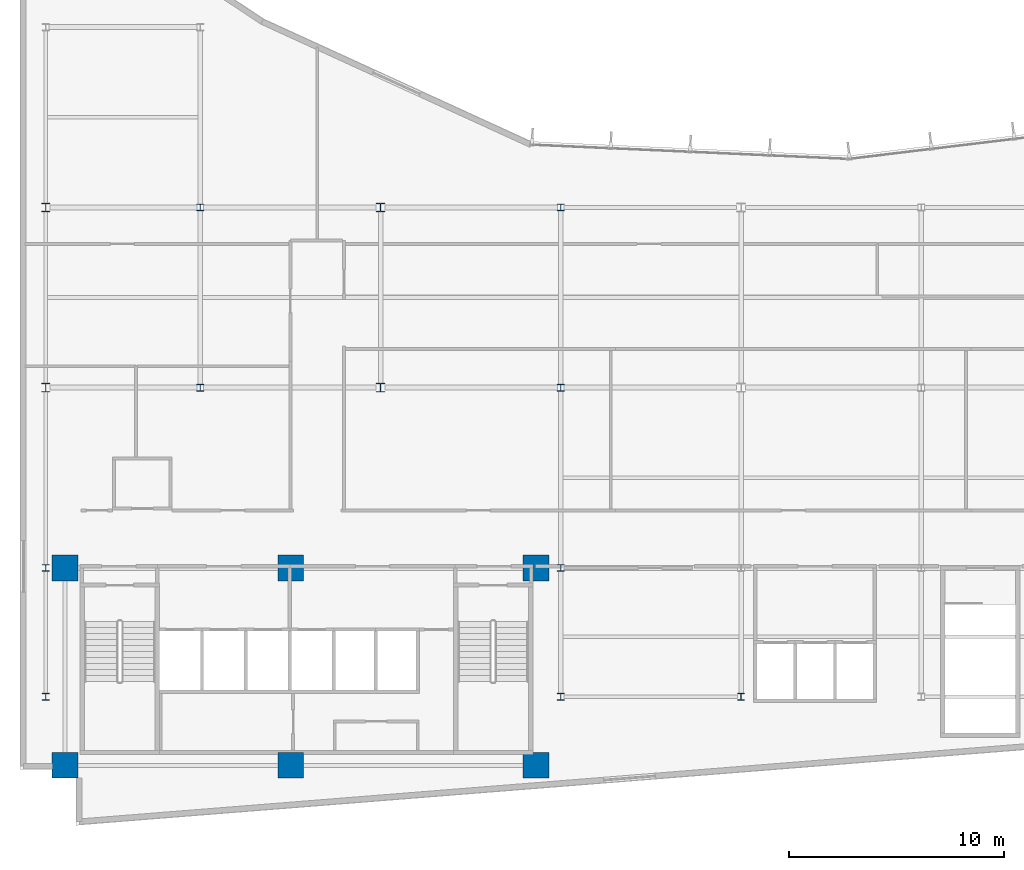
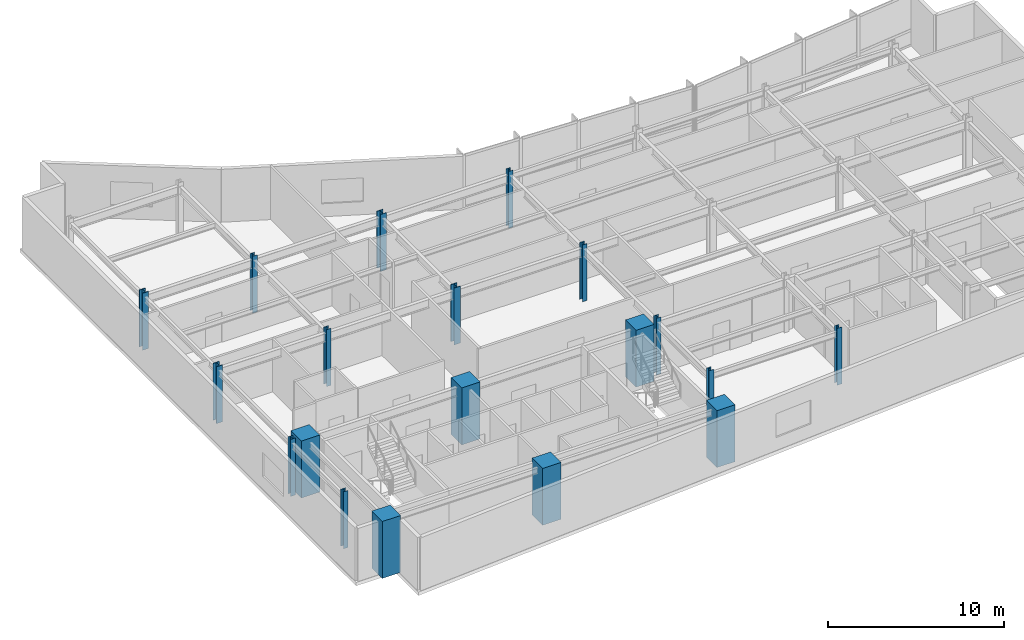
# One storey, part 1 of 16: 19 columns.
"""IFC4 building model written with IfcOpenShell, lengths in metres."""

from ifc_helpers import new_model, si_unit, direction, frame, origin, origin_2d, place, context, subcontext, project, spatial, rectangle, i_section, extrude, material, material_profile, profile_set, type_object, element, save


model = new_model("IFC4")

# Units and contexts
model_context = context("Model", 3, precision=1e-05, world=origin(), true_north=direction((0.0, 1.0)))
body_context = subcontext(model_context, "Body", "Model", "MODEL_VIEW")
ifc_project = project(units=[si_unit("LENGTHUNIT", "METRE"), si_unit("AREAUNIT", "SQUARE_METRE"), si_unit("VOLUMEUNIT", "CUBIC_METRE"), si_unit("PLANEANGLEUNIT", "RADIAN"), si_unit("MASSUNIT", "GRAM", prefix="KILO")], contexts=[model_context])

# Site, building, storey
site_placement = place(None, origin())
site = spatial("IfcSite", under=ifc_project, at=site_placement, CompositionType="ELEMENT")
building_placement = place(site_placement, origin())
building = spatial("IfcBuilding", under=site, at=building_placement, Name="Varnakote Quay Hospital", CompositionType="ELEMENT")
storey_placement = place(building_placement, frame((0.0, 0.0, 170.5)))
storey = spatial("IfcBuildingStorey", under=building, at=storey_placement, Name="L42", CompositionType="ELEMENT", Elevation=170.5)

# Columns
ifc_material_1 = material(Name="Concrete N80 (f'c 80 MPa)", Category="concrete")
ifc_material_profile_1 = material_profile(ifc_material_1, rectangle(XDim=1.199951171875, YDim=1.199951171875, at=origin_2d()), Name="RC-COL-1200x1200")
ifc_profile_set_1 = profile_set([ifc_material_profile_1], Name="Concrete N80 (f'c 80 MPa)")
column_type_1 = type_object("IfcColumnType", Name="COL-RC-1200", PredefinedType="COLUMN", material=ifc_profile_set_1)
for number, where, z_axis, x_axis, name in (
    (1, (2.10009765625, 2.800048828125, 0.0), (0.0, 0.0, 1.0), (1.0, 0.0, 0.0), "L42 Structural Column C-2-3"),
    (2, (12.6201171875, 2.800048828125, 0.0), (0.0, 0.0, 1.0), (1.0, 0.0, 0.0), "L42 Structural Column C-13-3"),
    (3, (24.050048828125, 2.800048828125, 0.0), (0.0, 0.0, 1.0), (1.0, 0.0, 0.0), "L42 Structural Column C-24-3"),
    (4, (2.10009765625, 12.0, 0.0), (0.0, 0.0, 1.0), (1.0, 0.0, 0.0), "L42 Structural Column C-2-12"),
    (5, (12.6201171875, 12.0, 0.0), (0.0, 0.0, 1.0), (1.0, 0.0, 0.0), "L42 Structural Column C-13-12"),
    (6, (24.050048828125, 12.0, 0.0), (0.0, 0.0, 1.0), (1.0, 0.0, 0.0), "L42 Structural Column C-24-12"),
):
    element("IfcColumn", number, at=place(storey_placement, frame(where, z_axis=z_axis, x_axis=x_axis)), inside=storey, type_object=column_type_1, Name=name, PredefinedType="COLUMN", context=body_context, shape_type="SweptSolid", body=[
        extrude(rectangle(XDim=1.199951171875, YDim=1.199951171875, at=origin_2d()), origin(), (0.0, 0.0, 1.0), 3.949951171875),
    ])
ifc_material_2 = material(Name="Structural steel AS/NZS 3679.1 Grade 350 L0 (fy 340 MPa)", Category="steel")
ifc_material_profile_2 = material_profile(ifc_material_2, i_section(OverallWidth=0.306884765625, OverallDepth=0.31494140625, WebThickness=0.011962890625, FlangeThickness=0.018798828125, FilletRadius=0.0166015625, at=origin_2d()), Name="310UC118")
ifc_profile_set_2 = profile_set([ifc_material_profile_2], Name="Structural steel AS/NZS 3679.1 Grade 350 L0 (fy 340 MPa)")
column_type_2 = type_object("IfcColumnType", Name="COL-STL-310UC118", PredefinedType="COLUMN", material=ifc_profile_set_2)
for number, where, z_axis, x_axis, name in (
    (7, (1.199951171875, 6.0, 0.0), (0.0, 0.0, 1.0), (1.0, 0.0, 0.0), "L42 Structural Column C-1-6"),
    (8, (25.199951171875, 6.0, 0.0), (0.0, 0.0, 1.0), (1.0, 0.0, 0.0), "L42 Structural Column C-25-6"),
    (9, (33.60009765625, 6.0, 0.0), (0.0, 0.0, 1.0), (1.0, 0.0, 0.0), "L42 Structural Column C-34-6"),
    (10, (1.199951171875, 12.0, 0.0), (0.0, 0.0, 1.0), (1.0, 0.0, 0.0), "L42 Structural Column C-1-12"),
    (11, (25.199951171875, 12.0, 0.0), (0.0, 0.0, 1.0), (1.0, 0.0, 0.0), "L42 Structural Column C-25-12"),
    (12, (8.39990234375, 20.39990234375, 0.0), (0.0, 0.0, 1.0), (1.0, 0.0, 0.0), "L42 Structural Column C-8-20"),
    (13, (25.199951171875, 20.39990234375, 0.0), (0.0, 0.0, 1.0), (1.0, 0.0, 0.0), "L42 Structural Column C-25-20"),
    (14, (8.39990234375, 28.800048828125, 0.0), (0.0, 0.0, 1.0), (1.0, 0.0, 0.0), "L42 Structural Column C-8-29"),
    (15, (25.199951171875, 28.800048828125, 0.0), (0.0, 0.0, 1.0), (1.0, 0.0, 0.0), "L42 Structural Column C-25-29"),
):
    element("IfcColumn", number, at=place(storey_placement, frame(where, z_axis=z_axis, x_axis=x_axis)), inside=storey, type_object=column_type_2, Name=name, PredefinedType="COLUMN", context=body_context, shape_type="SweptSolid", body=[
        extrude(i_section(OverallWidth=0.306884765625, OverallDepth=0.31494140625, WebThickness=0.011962890625, FlangeThickness=0.018798828125, FilletRadius=0.0166015625, at=origin_2d()), origin(), (0.0, 0.0, 1.0), 3.949951171875),
    ])
ifc_material_3 = material(Name="Structural steel AS/NZS 3678 Grade 350 (fy 340 MPa)", Category="steel")
ifc_material_profile_3 = material_profile(ifc_material_3, i_section(OverallWidth=0.39990234375, OverallDepth=0.419921875, WebThickness=0.02490234375, FlangeThickness=0.0400390625, at=origin_2d()), Name="400WC328")
ifc_profile_set_3 = profile_set([ifc_material_profile_3], Name="Structural steel AS/NZS 3678 Grade 350 (fy 340 MPa)")
column_type_3 = type_object("IfcColumnType", Name="COL-STL-400WC328", PredefinedType="COLUMN", material=ifc_profile_set_3)
for number, where, z_axis, x_axis, name in (
    (16, (1.199951171875, 20.39990234375, 0.0), (0.0, 0.0, 1.0), (1.0, 0.0, 0.0), "L42 Structural Column C-1-20"),
    (17, (16.800048828125, 20.39990234375, 0.0), (0.0, 0.0, 1.0), (1.0, 0.0, 0.0), "L42 Structural Column C-17-20"),
    (18, (1.199951171875, 28.800048828125, 0.0), (0.0, 0.0, 1.0), (1.0, 0.0, 0.0), "L42 Structural Column C-1-29"),
    (19, (16.800048828125, 28.800048828125, 0.0), (0.0, 0.0, 1.0), (1.0, 0.0, 0.0), "L42 Structural Column C-17-29"),
):
    element("IfcColumn", number, at=place(storey_placement, frame(where, z_axis=z_axis, x_axis=x_axis)), inside=storey, type_object=column_type_3, Name=name, PredefinedType="COLUMN", context=body_context, shape_type="SweptSolid", body=[
        extrude(i_section(OverallWidth=0.39990234375, OverallDepth=0.419921875, WebThickness=0.02490234375, FlangeThickness=0.0400390625, at=origin_2d()), origin(), (0.0, 0.0, 1.0), 3.949951171875),
    ])

save(model, "model.ifc")
